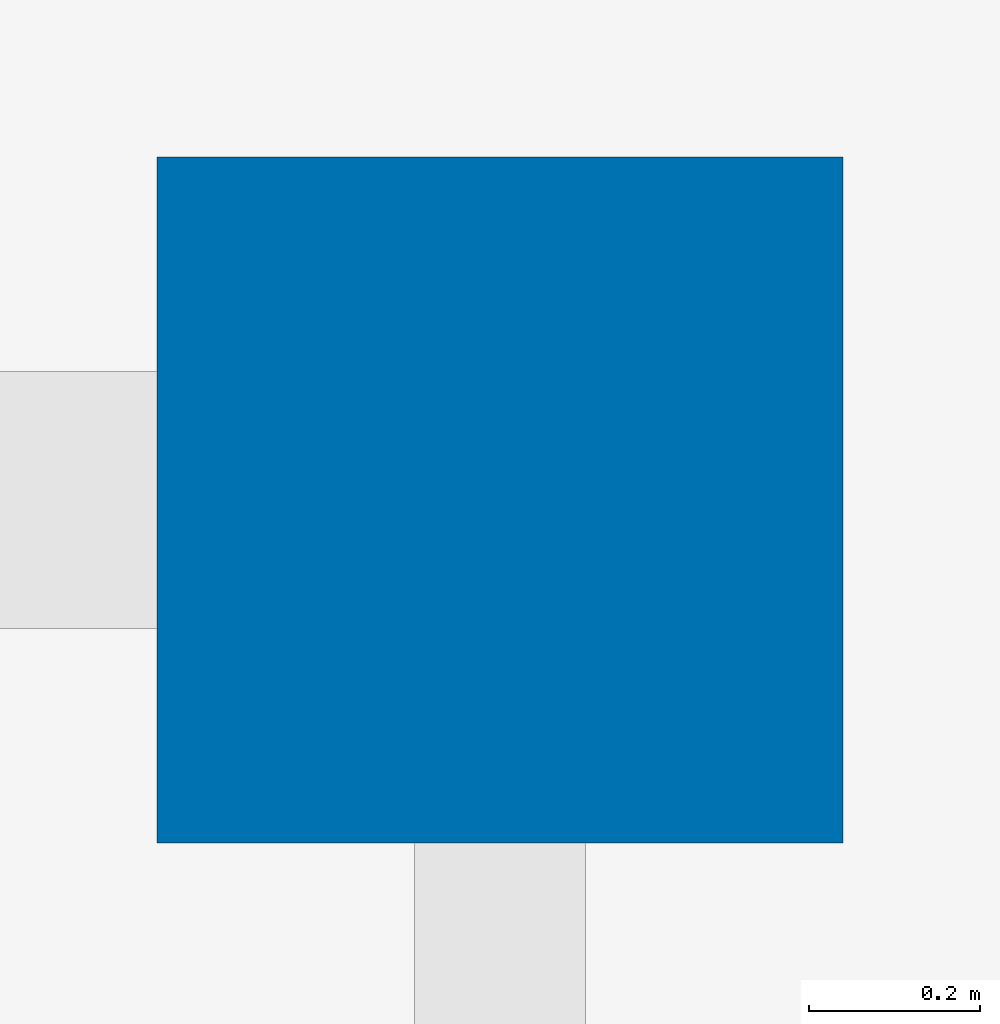
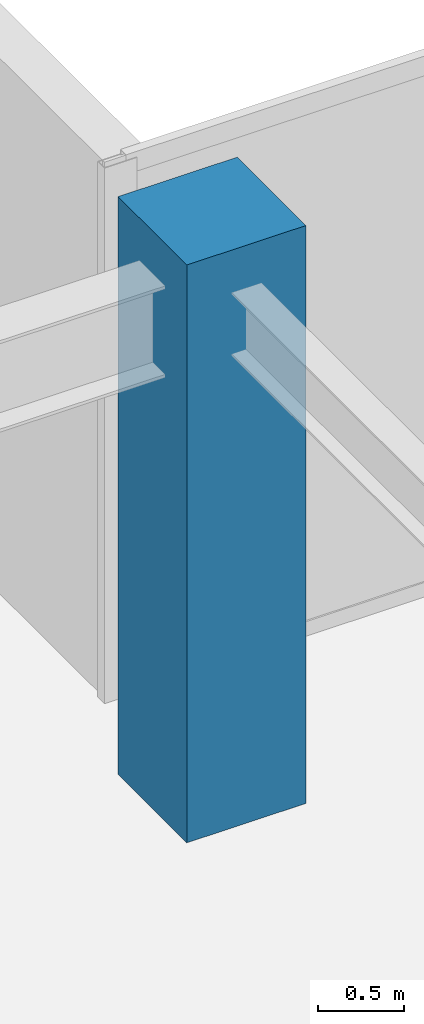
# One storey, part 4 of 33: 1 column.
"""IFC4 building model written with IfcOpenShell, lengths in metres."""

from ifc_helpers import new_model, si_unit, direction, frame, origin, origin_2d, place, context, subcontext, project, spatial, rectangle, extrude, source, transform, mapped, material, material_profile, profile_set, type_object, type_shapes, element, save


model = new_model("IFC4")

# Units and contexts
model_context = context("Model", 3, precision=1e-05, world=origin(), true_north=direction((0.0, 1.0)))
body_context = subcontext(model_context, "Body", "Model", "MODEL_VIEW")
ifc_project = project(units=[si_unit("LENGTHUNIT", "METRE"), si_unit("AREAUNIT", "SQUARE_METRE"), si_unit("VOLUMEUNIT", "CUBIC_METRE"), si_unit("PLANEANGLEUNIT", "RADIAN"), si_unit("MASSUNIT", "GRAM", prefix="KILO")], contexts=[model_context])

# Site, building, storey
site_placement = place(None, origin())
site = spatial("IfcSite", under=ifc_project, at=site_placement, CompositionType="ELEMENT")
building_placement = place(site_placement, origin())
building = spatial("IfcBuilding", under=site, at=building_placement, Name="Haelvirn Gate Laboratories", CompositionType="ELEMENT")
storey_placement = place(building_placement, frame((0.0, 0.0, 275.199951171875)))
storey = spatial("IfcBuildingStorey", under=building, at=storey_placement, Name="L66", CompositionType="ELEMENT", Elevation=275.199951171875)

# Column
ifc_material = material(Name="Concrete C50/60", Category="concrete")
ifc_material_profile = material_profile(ifc_material, rectangle(XDim=0.800048828125, YDim=0.800048828125, at=origin_2d()), Name="RC-800x800")
ifc_profile_set = profile_set([ifc_material_profile], Name="Concrete C50/60")
column_type = type_object("IfcColumnType", Name="COL-RC-800", PredefinedType="COLUMN", material=ifc_profile_set)
shared_shape = source(origin(), body_context, "Body", "SweptSolid", [
    extrude(rectangle(XDim=0.800048828125, YDim=0.800048828125, at=origin_2d()), origin(), (0.0, 0.0, 1.0), 4.10009765625),
])
type_shapes(column_type, [shared_shape])
column_placement = place(storey_placement, frame((67.39990234375, 41.60009765625, 0.0), z_axis=(0.0, 0.0, 1.0), x_axis=(1.0, 0.0, 0.0)))
element("IfcColumn", 1, at=column_placement, inside=storey, type_object=column_type, Name="L66 Column 10G", PredefinedType="COLUMN", context=body_context, shape_type="MappedRepresentation", body=[
    mapped(shared_shape, transform((0.0, 0.0, 0.0), scale=1.0)),
])

save(model, "model.ifc")
